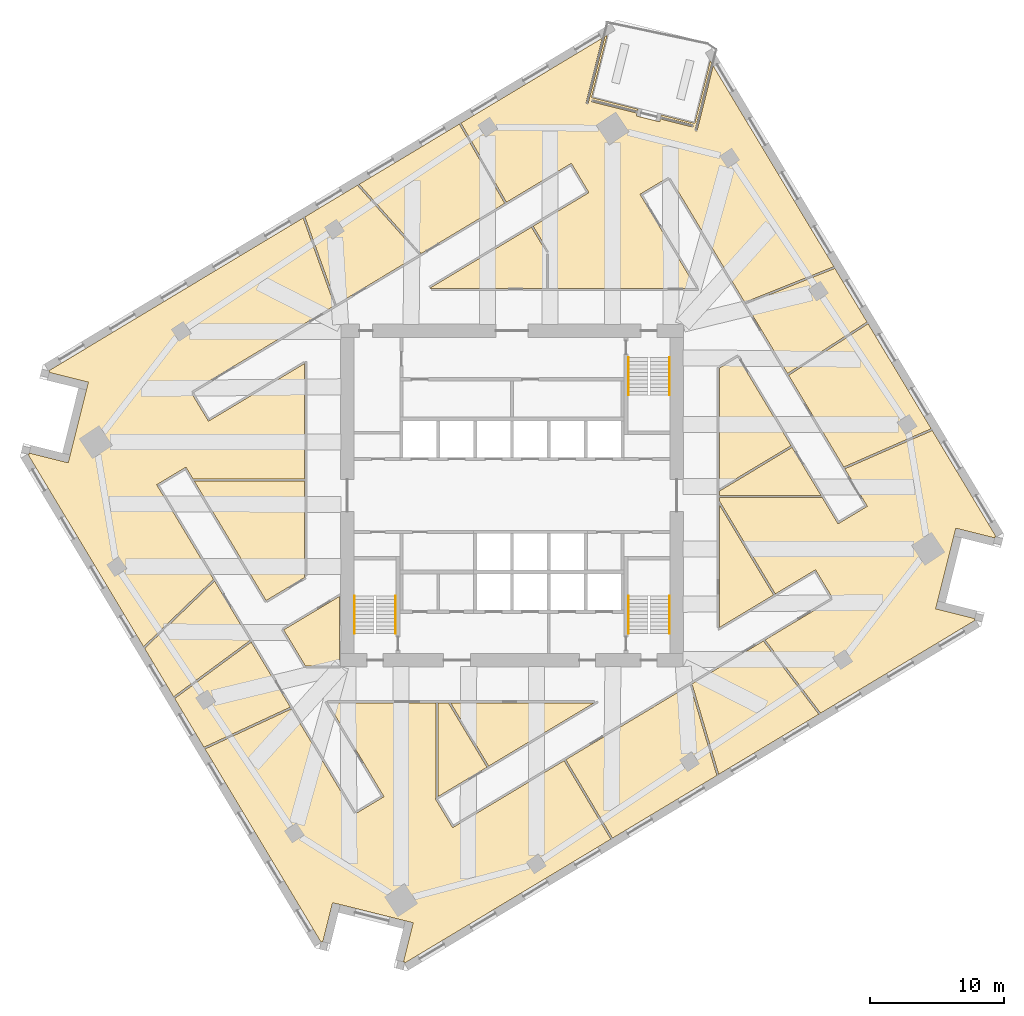
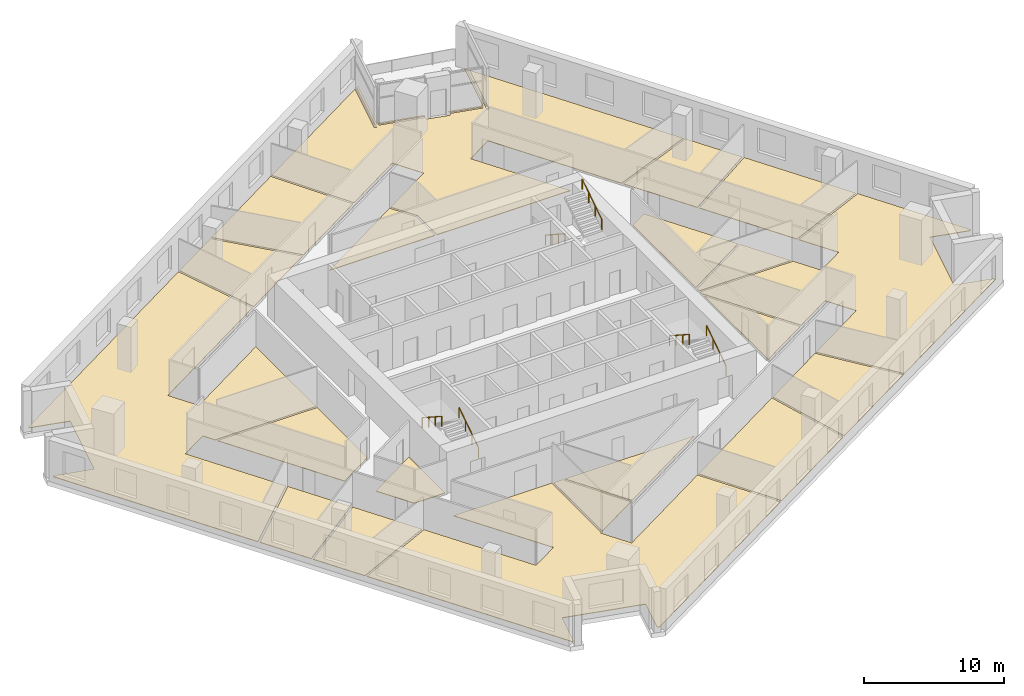
# One storey, part 12 of 14: 20 coverings, 6 railings.
"""IFC4 building model written with IfcOpenShell, lengths in metres."""

from ifc_helpers import new_model, si_unit, direction, frame, origin, origin_2d, place, context, subcontext, project, spatial, polyline, circle, outline, extrude, material, layer, layer_set, type_object, element, save


model = new_model("IFC4")

# Units and contexts
model_context = context("Model", 3, precision=1e-05, world=origin(), true_north=direction((0.0, 1.0)))
body_context = subcontext(model_context, "Body", "Model", "MODEL_VIEW")
ifc_project = project(units=[si_unit("LENGTHUNIT", "METRE"), si_unit("AREAUNIT", "SQUARE_METRE"), si_unit("VOLUMEUNIT", "CUBIC_METRE"), si_unit("PLANEANGLEUNIT", "RADIAN"), si_unit("MASSUNIT", "GRAM", prefix="KILO")], contexts=[model_context])

# Site, building, storey
site_placement = place(None, origin())
site = spatial("IfcSite", under=ifc_project, at=site_placement, CompositionType="ELEMENT")
building_placement = place(site_placement, origin())
building = spatial("IfcBuilding", under=site, at=building_placement, Name="Dilmun Exchange Tower", CompositionType="ELEMENT")
storey_placement = place(building_placement, frame((0.0, 0.0, 151.699951171875)))
storey = spatial("IfcBuildingStorey", under=building, at=storey_placement, Name="L35", CompositionType="ELEMENT", Elevation=151.699951171875)

# Coverings
ifc_material_1 = material(Name="Carpet floor finish 50")
ifc_layer_1 = layer(ifc_material_1, 0.050048828125)
ifc_layer_set_1 = layer_set([ifc_layer_1], Name="Carpet floor finish 50")
covering_type_1 = type_object("IfcCoveringType", Name="Carpet floor finish 50", PredefinedType="FLOORING", material=ifc_layer_set_1)
covering_1_placement = place(storey_placement, origin())
element("IfcCovering", 1, at=covering_1_placement, inside=storey, type_object=covering_type_1, Name="Carpet floor finish 50 Open office 1", PredefinedType="FLOORING", context=body_context, shape_type="SweptSolid", body=[
    extrude(outline(polyline([(-13.245361328125, 14.181884765625), (-23.979248046875, 7.732177734375), (-22.666015625, 5.54638671875), (-15.47509765625, 9.8671875), (-15.47509765625, 1.2392578125), (-23.818359375, 1.2392578125), (-24.343994140625, 2.114013671875), (-26.52978515625, 0.80078125), (-22.287109375, -6.260009765625), (-27.5126953125, -11.290283203125), (-36.1455078125, 3.076904296875), (-36.07666015625, 3.059814453125), (-36.076416015625, 3.059814453125), (-36.076416015625, 3.059814453125), (-36.076171875, 3.059814453125), (-36.075927734375, 3.059814453125), (-36.07568359375, 3.059814453125), (-36.075439453125, 3.059814453125), (-36.075439453125, 3.059814453125), (-36.0751953125, 3.06005859375), (-36.074951171875, 3.06005859375), (-36.074951171875, 3.060302734375), (-36.07470703125, 3.060302734375), (-36.07470703125, 3.060546875), (-36.074462890625, 3.060791015625), (-36.074462890625, 3.060791015625), (-36.07421875, 3.06103515625), (-36.07421875, 3.061279296875), (-36.0478515625, 3.167236328125), (-33.138916015625, 2.44189453125), (-33.138671875, 2.44189453125), (-33.138427734375, 2.44189453125), (-33.13818359375, 2.44189453125), (-33.13818359375, 2.44189453125), (-33.137939453125, 2.44189453125), (-33.1376953125, 2.44189453125), (-33.137451171875, 2.442138671875), (-33.13720703125, 2.442138671875), (-33.13720703125, 2.4423828125), (-33.136962890625, 2.4423828125), (-33.136962890625, 2.442626953125), (-33.13671875, 2.442626953125), (-33.13671875, 2.44287109375), (-33.13671875, 2.443115234375), (-33.136474609375, 2.443115234375), (-33.136474609375, 2.443359375), (-32.9912109375, 3.025634765625), (-32.9912109375, 3.025634765625), (-32.9912109375, 3.025634765625), (-31.78173828125, 7.876953125), (-31.781494140625, 7.877197265625), (-31.781494140625, 7.87744140625), (-31.781494140625, 7.877685546875), (-31.63671875, 8.459228515625), (-31.63671875, 8.45947265625), (-31.636474609375, 8.459716796875), (-31.636474609375, 8.4599609375), (-31.63671875, 8.460205078125), (-31.63671875, 8.460205078125), (-31.63671875, 8.46044921875), (-31.63671875, 8.460693359375), (-31.63671875, 8.460693359375), (-31.636962890625, 8.4609375), (-31.636962890625, 8.461181640625), (-31.63720703125, 8.461181640625), (-31.63720703125, 8.46142578125), (-31.637451171875, 8.46142578125), (-31.6376953125, 8.461669921875), (-31.637939453125, 8.461669921875), (-31.637939453125, 8.461669921875), (-34.546875, 9.18701171875), (-34.5205078125, 9.29296875), (-34.5205078125, 9.293212890625), (-34.5205078125, 9.29345703125), (-34.5205078125, 9.293701171875), (-34.5205078125, 9.293701171875), (-34.5205078125, 9.2939453125), (-34.5205078125, 9.294189453125), (-34.5205078125, 9.29443359375), (-34.520751953125, 9.29443359375), (-34.520751953125, 9.294677734375), (-34.52099609375, 9.294921875), (-34.52099609375, 9.294921875), (-34.521240234375, 9.295166015625), (-34.521484375, 9.295166015625), (-34.521484375, 9.29541015625), (-34.521728515625, 9.29541015625), (-34.52197265625, 9.29541015625), (-34.5908203125, 9.3125), (-15.595947265625, 20.725830078125), (-13.245361328125, 14.181884765625)])), origin(), (0.0, 0.0, 1.0), 0.050048828125),
])
covering_2_placement = place(storey_placement, origin())
element("IfcCovering", 2, at=covering_2_placement, inside=storey, type_object=covering_type_1, Name="Carpet floor finish 50 Open office 2", PredefinedType="FLOORING", context=body_context, shape_type="SweptSolid", body=[
    extrude(outline(polyline([(-4.430419921875, -24.802490234375), (3.889892578125, -19.802978515625), (7.38037109375, -25.662353515625), (-8.016845703125, -34.913818359375), (-7.999755859375, -34.844970703125), (-7.99951171875, -34.8447265625), (-7.99951171875, -34.844482421875), (-7.99951171875, -34.844482421875), (-7.99951171875, -34.84423828125), (-7.999755859375, -34.843994140625), (-7.999755859375, -34.84375), (-7.999755859375, -34.84375), (-8.0, -34.843505859375), (-8.0, -34.84326171875), (-8.0, -34.84326171875), (-8.000244140625, -34.843017578125), (-8.00048828125, -34.843017578125), (-8.00048828125, -34.8427734375), (-8.000732421875, -34.8427734375), (-8.0009765625, -34.842529296875), (-8.001220703125, -34.842529296875), (-8.107177734375, -34.816162109375), (-7.3818359375, -31.9072265625), (-7.3818359375, -31.906982421875), (-7.3818359375, -31.906982421875), (-7.3818359375, -31.90673828125), (-7.3818359375, -31.906494140625), (-7.3818359375, -31.90625), (-7.3818359375, -31.906005859375), (-7.382080078125, -31.906005859375), (-7.382080078125, -31.90576171875), (-7.382080078125, -31.905517578125), (-7.38232421875, -31.905517578125), (-7.382568359375, -31.9052734375), (-7.382568359375, -31.9052734375), (-7.3828125, -31.905029296875), (-7.383056640625, -31.905029296875), (-7.383056640625, -31.90478515625), (-7.38330078125, -31.90478515625), (-7.965576171875, -31.759765625), (-7.965576171875, -31.759765625), (-12.816650390625, -30.55029296875), (-12.81689453125, -30.550048828125), (-12.81689453125, -30.550048828125), (-13.399169921875, -30.40478515625), (-13.3994140625, -30.40478515625), (-13.399658203125, -30.40478515625), (-13.39990234375, -30.40478515625), (-13.39990234375, -30.40478515625), (-13.400146484375, -30.40478515625), (-13.400390625, -30.40478515625), (-13.400390625, -30.405029296875), (-13.400634765625, -30.405029296875), (-13.40087890625, -30.4052734375), (-13.40087890625, -30.4052734375), (-13.401123046875, -30.405517578125), (-13.4013671875, -30.405517578125), (-13.4013671875, -30.40576171875), (-13.401611328125, -30.406005859375), (-13.401611328125, -30.406005859375), (-13.401611328125, -30.40625), (-14.126953125, -33.315185546875), (-14.23291015625, -33.288818359375), (-14.233154296875, -33.288818359375), (-14.2333984375, -33.288818359375), (-14.2333984375, -33.288818359375), (-14.233642578125, -33.288818359375), (-14.23388671875, -33.288818359375), (-14.234130859375, -33.288818359375), (-14.234375, -33.2890625), (-14.234375, -33.2890625), (-14.234619140625, -33.289306640625), (-14.23486328125, -33.289306640625), (-14.23486328125, -33.28955078125), (-14.235107421875, -33.28955078125), (-14.235107421875, -33.289794921875), (-14.235107421875, -33.2900390625), (-14.2353515625, -33.2900390625), (-14.2353515625, -33.290283203125), (-14.25244140625, -33.359130859375), (-22.92333984375, -18.92822265625), (-16.4755859375, -15.93212890625), (-11.748046875, -23.80029296875), (-9.562255859375, -22.48681640625), (-13.775390625, -15.47509765625), (-5.657958984375, -15.47509765625), (-5.657958984375, -22.565185546875), (-5.743896484375, -22.61669921875), (-4.430419921875, -24.802490234375)])), origin(), (0.0, 0.0, 1.0), 0.050048828125),
])
covering_3_placement = place(storey_placement, origin())
element("IfcCovering", 3, at=covering_3_placement, inside=storey, type_object=covering_type_1, Name="Carpet floor finish 50 Executive office 1", PredefinedType="FLOORING", context=body_context, shape_type="SweptSolid", body=[
    extrude(outline(polyline([(-0.543212890625, 21.81396484375), (-6.7900390625, 18.060546875), (-11.4111328125, 23.240234375), (-3.93310546875, 27.733642578125), (-0.543212890625, 21.81396484375)])), origin(), (0.0, 0.0, 1.0), 0.050048828125),
])
covering_4_placement = place(storey_placement, origin())
element("IfcCovering", 4, at=covering_4_placement, inside=storey, type_object=covering_type_1, Name="Carpet floor finish 50 Business lounge 1", PredefinedType="FLOORING", context=body_context, shape_type="SweptSolid", body=[
    extrude(outline(polyline([(2.581787109375, 18.15576171875), (2.581787109375, 15.47509765625), (-6.11376953125, 15.47509765625), (-6.121337890625, 15.4873046875), (1.451416015625, 20.03759765625), (2.581787109375, 18.15576171875)])), origin(), (0.0, 0.0, 1.0), 0.050048828125),
])
covering_5_placement = place(storey_placement, origin())
element("IfcCovering", 5, at=covering_5_placement, inside=storey, type_object=covering_type_1, Name="Carpet floor finish 50 Garden lounge", PredefinedType="FLOORING", context=body_context, shape_type="SweptSolid", body=[
    extrude(outline(polyline([(2.73193359375, 15.47509765625), (2.73193359375, 18.197509765625), (1.579833984375, 20.11474609375), (5.743896484375, 22.61669921875), (4.430419921875, 24.802490234375), (-0.41455078125, 21.891357421875), (-3.804443359375, 27.810791015625), (6.734619140625, 34.143310546875), (5.521728515625, 29.279052734375), (5.521728515625, 29.27880859375), (5.521728515625, 29.27880859375), (5.521728515625, 29.278564453125), (5.521728515625, 29.2783203125), (5.521728515625, 29.2783203125), (5.52197265625, 29.278076171875), (5.52197265625, 29.27783203125), (5.522216796875, 29.277587890625), (5.522216796875, 29.277587890625), (5.522216796875, 29.27734375), (5.5224609375, 29.277099609375), (5.522705078125, 29.277099609375), (5.522705078125, 29.27685546875), (5.52294921875, 29.27685546875), (5.523193359375, 29.27685546875), (5.523193359375, 29.276611328125), (5.678466796875, 29.238037109375), (5.6787109375, 29.238037109375), (5.678955078125, 29.23779296875), (5.67919921875, 29.23779296875), (5.67919921875, 29.238037109375), (5.679443359375, 29.238037109375), (5.6796875, 29.238037109375), (5.679931640625, 29.238037109375), (5.68017578125, 29.23828125), (5.68017578125, 29.23828125), (5.680419921875, 29.238525390625), (5.680419921875, 29.238525390625), (5.6806640625, 29.23876953125), (5.6806640625, 29.239013671875), (5.680908203125, 29.239013671875), (5.680908203125, 29.2392578125), (5.680908203125, 29.239501953125), (6.933349609375, 34.2626953125), (7.106689453125, 34.366943359375), (5.94677734375, 29.71435546875), (9.403076171875, 28.8525390625), (9.368408203125, 28.7138671875), (5.98486328125, 29.557373046875), (5.984619140625, 29.557373046875), (5.984375, 29.557373046875), (5.984375, 29.557373046875), (5.984130859375, 29.557373046875), (5.98388671875, 29.557373046875), (5.983642578125, 29.557373046875), (5.9833984375, 29.55712890625), (5.9833984375, 29.55712890625), (5.983154296875, 29.556884765625), (5.98291015625, 29.556884765625), (5.98291015625, 29.556884765625), (5.982666015625, 29.556640625), (5.982666015625, 29.556396484375), (5.982421875, 29.556396484375), (5.982421875, 29.55615234375), (5.982421875, 29.555908203125), (5.943603515625, 29.400634765625), (5.943603515625, 29.400390625), (5.943603515625, 29.400390625), (5.943603515625, 29.400146484375), (5.943603515625, 29.39990234375), (5.943603515625, 29.399658203125), (5.94384765625, 29.3994140625), (5.94384765625, 29.3994140625), (5.94384765625, 29.399169921875), (5.944091796875, 29.39892578125), (5.944091796875, 29.398681640625), (5.9443359375, 29.398681640625), (5.944580078125, 29.398681640625), (5.944580078125, 29.3984375), (5.94482421875, 29.3984375), (5.945068359375, 29.398193359375), (5.9453125, 29.398193359375), (9.32861328125, 28.5546875), (9.27587890625, 28.34326171875), (9.27587890625, 28.343017578125), (9.27587890625, 28.3427734375), (9.27587890625, 28.342529296875), (9.27587890625, 28.34228515625), (9.27587890625, 28.34228515625), (9.27587890625, 28.342041015625), (9.276123046875, 28.341796875), (9.276123046875, 28.341796875), (9.2763671875, 28.341552734375), (9.2763671875, 28.34130859375), (9.276611328125, 28.34130859375), (9.276611328125, 28.341064453125), (9.27685546875, 28.341064453125), (9.277099609375, 28.3408203125), (9.277099609375, 28.3408203125), (9.27734375, 28.3408203125), (11.02392578125, 27.9052734375), (11.024169921875, 27.9052734375), (11.0244140625, 27.9052734375), (11.0244140625, 27.9052734375), (11.024658203125, 27.9052734375), (11.02490234375, 27.9052734375), (11.025146484375, 27.9052734375), (11.025390625, 27.905517578125), (11.025390625, 27.905517578125), (11.025634765625, 27.905517578125), (11.02587890625, 27.90576171875), (11.02587890625, 27.906005859375), (11.02587890625, 27.906005859375), (11.026123046875, 27.90625), (11.026123046875, 27.906494140625), (11.0263671875, 27.906494140625), (11.0263671875, 27.90673828125), (11.0791015625, 28.118408203125), (13.4921875, 27.5166015625), (13.492431640625, 27.5166015625), (13.49267578125, 27.5166015625), (13.492919921875, 27.5166015625), (13.492919921875, 27.5166015625), (13.4931640625, 27.5166015625), (13.493408203125, 27.5166015625), (13.49365234375, 27.5166015625), (13.493896484375, 27.516845703125), (13.493896484375, 27.516845703125), (13.494140625, 27.51708984375), (13.494140625, 27.51708984375), (13.494384765625, 27.517333984375), (13.494384765625, 27.517578125), (13.49462890625, 27.517578125), (13.49462890625, 27.517822265625), (13.49462890625, 27.51806640625), (13.533447265625, 27.673095703125), (13.533447265625, 27.67333984375), (13.533447265625, 27.673583984375), (13.533447265625, 27.673828125), (13.533447265625, 27.674072265625), (13.533447265625, 27.67431640625), (13.533203125, 27.67431640625), (13.533203125, 27.674560546875), (13.533203125, 27.6748046875), (13.533203125, 27.6748046875), (13.532958984375, 27.675048828125), (13.53271484375, 27.67529296875), (13.53271484375, 27.67529296875), (13.532470703125, 27.67529296875), (13.5322265625, 27.675537109375), (13.531982421875, 27.675537109375), (13.531982421875, 27.67578125), (11.118896484375, 28.27734375), (11.1533203125, 28.416015625), (13.639404296875, 27.79638671875), (14.79931640625, 32.448974609375), (14.903564453125, 32.275634765625), (13.651123046875, 27.252197265625), (13.651123046875, 27.252197265625), (13.651123046875, 27.251953125), (13.651123046875, 27.251708984375), (13.651123046875, 27.251708984375), (13.651123046875, 27.25146484375), (13.651123046875, 27.251220703125), (13.6513671875, 27.2509765625), (13.6513671875, 27.250732421875), (13.651611328125, 27.250732421875), (13.651611328125, 27.25048828125), (13.651611328125, 27.25048828125), (13.65185546875, 27.250244140625), (13.652099609375, 27.25), (13.652099609375, 27.25), (13.65234375, 27.25), (13.652587890625, 27.25), (13.807861328125, 27.211181640625), (13.80810546875, 27.211181640625), (13.80810546875, 27.211181640625), (13.808349609375, 27.211181640625), (13.80859375, 27.211181640625), (13.808837890625, 27.211181640625), (13.80908203125, 27.211181640625), (13.80908203125, 27.211181640625), (13.809326171875, 27.21142578125), (13.8095703125, 27.21142578125), (13.809814453125, 27.211669921875), (13.809814453125, 27.2119140625), (13.809814453125, 27.2119140625), (13.81005859375, 27.212158203125), (13.81005859375, 27.21240234375), (13.810302734375, 27.21240234375), (13.810302734375, 27.212646484375), (15.02294921875, 32.076904296875), (24.029052734375, 17.088134765625), (17.380126953125, 14.4267578125), (11.748046875, 23.80029296875), (9.562255859375, 22.48681640625), (13.775390625, 15.47509765625), (2.73193359375, 15.47509765625)])), origin(), (0.0, 0.0, 1.0), 0.050048828125),
])
covering_6_placement = place(storey_placement, origin())
element("IfcCovering", 6, at=covering_6_placement, inside=storey, type_object=covering_type_1, Name="Carpet floor finish 50 Business lounge 2", PredefinedType="FLOORING", context=body_context, shape_type="SweptSolid", body=[
    extrude(outline(polyline([(4.0185546875, -19.725830078125), (13.306640625, -14.14501953125), (15.30029296875, -20.903564453125), (7.5087890625, -25.5849609375), (4.0185546875, -19.725830078125)])), origin(), (0.0, 0.0, 1.0), 0.050048828125),
])
covering_7_placement = place(storey_placement, origin())
element("IfcCovering", 7, at=covering_7_placement, inside=storey, type_object=covering_type_1, Name="Carpet floor finish 50 Executive office 2", PredefinedType="FLOORING", context=body_context, shape_type="SweptSolid", body=[
    extrude(outline(polyline([(13.439453125, -14.065185546875), (18.770263671875, -10.862060546875), (22.90869140625, -16.331787109375), (15.43310546875, -20.82373046875), (13.439453125, -14.065185546875)])), origin(), (0.0, 0.0, 1.0), 0.050048828125),
])
covering_8_placement = place(storey_placement, origin())
element("IfcCovering", 8, at=covering_8_placement, inside=storey, type_object=covering_type_1, Name="Carpet floor finish 50 Library", PredefinedType="FLOORING", context=body_context, shape_type="SweptSolid", body=[
    extrude(outline(polyline([(24.77294921875, 2.123291015625), (20.6552734375, 8.97607421875), (26.58740234375, 12.830322265625), (31.301513671875, 4.985107421875), (24.77294921875, 2.123291015625)])), origin(), (0.0, 0.0, 1.0), 0.050048828125),
])
covering_9_placement = place(storey_placement, origin())
element("IfcCovering", 9, at=covering_9_placement, inside=storey, type_object=covering_type_1, Name="Carpet floor finish 50 Business lounge 3", PredefinedType="FLOORING", context=body_context, shape_type="SweptSolid", body=[
    extrude(outline(polyline([(24.343994140625, -2.114013671875), (26.52978515625, -0.80078125), (24.850830078125, 1.993408203125), (31.37939453125, 4.85546875), (36.1455078125, -3.076904296875), (36.07666015625, -3.059814453125), (36.076416015625, -3.059814453125), (36.076416015625, -3.059814453125), (36.076171875, -3.059814453125), (36.075927734375, -3.059814453125), (36.07568359375, -3.059814453125), (36.075439453125, -3.059814453125), (36.075439453125, -3.059814453125), (36.0751953125, -3.06005859375), (36.074951171875, -3.06005859375), (36.074951171875, -3.060302734375), (36.07470703125, -3.060302734375), (36.07470703125, -3.060546875), (36.074462890625, -3.060791015625), (36.074462890625, -3.060791015625), (36.07421875, -3.06103515625), (36.07421875, -3.061279296875), (36.0478515625, -3.167236328125), (33.138916015625, -2.44189453125), (33.138671875, -2.44189453125), (33.138427734375, -2.44189453125), (33.13818359375, -2.44189453125), (33.13818359375, -2.44189453125), (33.137939453125, -2.44189453125), (33.1376953125, -2.44189453125), (33.137451171875, -2.442138671875), (33.13720703125, -2.442138671875), (33.13720703125, -2.4423828125), (33.136962890625, -2.4423828125), (33.136962890625, -2.442626953125), (33.13671875, -2.442626953125), (33.13671875, -2.44287109375), (33.13671875, -2.443115234375), (33.136474609375, -2.443115234375), (33.136474609375, -2.443359375), (32.9912109375, -3.025634765625), (32.9912109375, -3.025634765625), (32.9912109375, -3.025634765625), (31.78173828125, -7.876953125), (31.781494140625, -7.877197265625), (31.781494140625, -7.87744140625), (31.781494140625, -7.877685546875), (31.63671875, -8.459228515625), (31.63671875, -8.45947265625), (31.636474609375, -8.459716796875), (31.636474609375, -8.4599609375), (31.63671875, -8.460205078125), (31.63671875, -8.460205078125), (31.63671875, -8.46044921875), (31.63671875, -8.460693359375), (31.63671875, -8.460693359375), (31.636962890625, -8.4609375), (31.636962890625, -8.461181640625), (31.63720703125, -8.461181640625), (31.63720703125, -8.46142578125), (31.637451171875, -8.46142578125), (31.6376953125, -8.461669921875), (31.637939453125, -8.461669921875), (31.637939453125, -8.461669921875), (34.546875, -9.18701171875), (34.5205078125, -9.29296875), (34.5205078125, -9.293212890625), (34.5205078125, -9.29345703125), (34.5205078125, -9.293701171875), (34.5205078125, -9.293701171875), (34.5205078125, -9.2939453125), (34.5205078125, -9.294189453125), (34.5205078125, -9.29443359375), (34.520751953125, -9.29443359375), (34.520751953125, -9.294677734375), (34.52099609375, -9.294921875), (34.52099609375, -9.294921875), (34.521240234375, -9.295166015625), (34.521484375, -9.295166015625), (34.521484375, -9.29541015625), (34.521728515625, -9.29541015625), (34.52197265625, -9.29541015625), (34.5908203125, -9.3125), (23.0380859375, -16.254150390625), (18.899658203125, -10.7841796875), (23.979248046875, -7.732177734375), (22.666015625, -5.54638671875), (19.66162109375, -7.3515625), (15.47509765625, -0.3837890625), (15.47509765625, -0.13134765625), (23.152587890625, -0.13134765625), (24.343994140625, -2.114013671875)])), origin(), (0.0, 0.0, 1.0), 0.050048828125),
])

# Railings
ifc_material_2 = material(Name="Stainless steel", Category="steel")
railing_type = type_object("IfcRailingType", Name="Stair handrail 900", PredefinedType="HANDRAIL", material=ifc_material_2)
railing_1_placement = place(storey_placement, frame((8.699951171875, 10.300048828125, 0.181884765625)))
element("IfcRailing", 10, at=railing_1_placement, inside=storey, type_object=railing_type, Name="L35 ST1 stair handrail 1", PredefinedType="HANDRAIL", context=body_context, shape_type="SweptSolid", body=[
    extrude(circle(Radius=0.02392578125, at=origin_2d()), frame((0.0, 0.0, 0.8759765625), z_axis=(0.0, -0.838705829183, 0.544584733623), x_axis=(1.0, 0.0, 0.0)), (0.0, 0.0, 1.0), 3.338623046875),
    extrude(circle(Radius=0.02099609375, at=origin_2d()), origin(), (0.0, 0.0, 1.0), 0.851806640625),
    extrude(circle(Radius=0.02099609375, at=origin_2d()), frame((0.0, -0.933349609375, 0.60595703125)), (0.0, 0.0, 1.0), 0.851806640625),
    extrude(circle(Radius=0.02099609375, at=origin_2d()), frame((0.0, -1.86669921875, 1.212158203125)), (0.0, 0.0, 1.0), 0.851806640625),
    extrude(circle(Radius=0.02099609375, at=origin_2d()), frame((0.0, -2.800048828125, 1.818115234375)), (0.0, 0.0, 1.0), 0.851806640625),
])
for number, where, name in (
    (11, (11.75, 7.5, 2.181884765625), "L35 ST1 stair handrail 2"),
    (12, (-8.699951171875, -10.300048828125, 0.181884765625), "L35 ST2 stair handrail 1"),
):
    element("IfcRailing", number, at=place(storey_placement, frame(where)), inside=storey, type_object=railing_type, Name=name, PredefinedType="HANDRAIL", context=body_context, shape_type="SweptSolid", body=[
        extrude(circle(Radius=0.02392578125, at=origin_2d()), frame((0.0, 0.0, 0.8759765625), z_axis=(0.0, 0.838705829183, 0.544584733623), x_axis=(-1.0, 0.0, 0.0)), (0.0, 0.0, 1.0), 3.338623046875),
        extrude(circle(Radius=0.02099609375, at=origin_2d()), origin(), (0.0, 0.0, 1.0), 0.851806640625),
        extrude(circle(Radius=0.02099609375, at=origin_2d()), frame((0.0, 0.933349609375, 0.60595703125)), (0.0, 0.0, 1.0), 0.851806640625),
        extrude(circle(Radius=0.02099609375, at=origin_2d()), frame((0.0, 1.86669921875, 1.212158203125)), (0.0, 0.0, 1.0), 0.851806640625),
        extrude(circle(Radius=0.02099609375, at=origin_2d()), frame((0.0, 2.800048828125, 1.818115234375)), (0.0, 0.0, 1.0), 0.851806640625),
    ])
railing_2_placement = place(storey_placement, frame((-11.75, -7.5, 2.181884765625)))
element("IfcRailing", 13, at=railing_2_placement, inside=storey, type_object=railing_type, Name="L35 ST2 stair handrail 2", PredefinedType="HANDRAIL", context=body_context, shape_type="SweptSolid", body=[
    extrude(circle(Radius=0.02392578125, at=origin_2d()), frame((0.0, 0.0, 0.8759765625), z_axis=(0.0, -0.838705829183, 0.544584733623), x_axis=(1.0, 0.0, 0.0)), (0.0, 0.0, 1.0), 3.338623046875),
    extrude(circle(Radius=0.02099609375, at=origin_2d()), origin(), (0.0, 0.0, 1.0), 0.851806640625),
    extrude(circle(Radius=0.02099609375, at=origin_2d()), frame((0.0, -0.933349609375, 0.60595703125)), (0.0, 0.0, 1.0), 0.851806640625),
    extrude(circle(Radius=0.02099609375, at=origin_2d()), frame((0.0, -1.86669921875, 1.212158203125)), (0.0, 0.0, 1.0), 0.851806640625),
    extrude(circle(Radius=0.02099609375, at=origin_2d()), frame((0.0, -2.800048828125, 1.818115234375)), (0.0, 0.0, 1.0), 0.851806640625),
])
railing_3_placement = place(storey_placement, frame((11.75, -10.300048828125, 0.181884765625)))
element("IfcRailing", 14, at=railing_3_placement, inside=storey, type_object=railing_type, Name="L35 ST3 stair handrail 1", PredefinedType="HANDRAIL", context=body_context, shape_type="SweptSolid", body=[
    extrude(circle(Radius=0.02392578125, at=origin_2d()), frame((0.0, 0.0, 0.8759765625), z_axis=(0.0, 0.838705829183, 0.544584733623), x_axis=(-1.0, 0.0, 0.0)), (0.0, 0.0, 1.0), 3.338623046875),
    extrude(circle(Radius=0.02099609375, at=origin_2d()), origin(), (0.0, 0.0, 1.0), 0.851806640625),
    extrude(circle(Radius=0.02099609375, at=origin_2d()), frame((0.0, 0.933349609375, 0.60595703125)), (0.0, 0.0, 1.0), 0.851806640625),
    extrude(circle(Radius=0.02099609375, at=origin_2d()), frame((0.0, 1.86669921875, 1.212158203125)), (0.0, 0.0, 1.0), 0.851806640625),
    extrude(circle(Radius=0.02099609375, at=origin_2d()), frame((0.0, 2.800048828125, 1.818115234375)), (0.0, 0.0, 1.0), 0.851806640625),
])
railing_4_placement = place(storey_placement, frame((8.699951171875, -7.5, 2.181884765625)))
element("IfcRailing", 15, at=railing_4_placement, inside=storey, type_object=railing_type, Name="L35 ST3 stair handrail 2", PredefinedType="HANDRAIL", context=body_context, shape_type="SweptSolid", body=[
    extrude(circle(Radius=0.02392578125, at=origin_2d()), frame((0.0, 0.0, 0.8759765625), z_axis=(0.0, -0.838705829183, 0.544584733623), x_axis=(1.0, 0.0, 0.0)), (0.0, 0.0, 1.0), 3.338623046875),
    extrude(circle(Radius=0.02099609375, at=origin_2d()), origin(), (0.0, 0.0, 1.0), 0.851806640625),
    extrude(circle(Radius=0.02099609375, at=origin_2d()), frame((0.0, -0.933349609375, 0.60595703125)), (0.0, 0.0, 1.0), 0.851806640625),
    extrude(circle(Radius=0.02099609375, at=origin_2d()), frame((0.0, -1.86669921875, 1.212158203125)), (0.0, 0.0, 1.0), 0.851806640625),
    extrude(circle(Radius=0.02099609375, at=origin_2d()), frame((0.0, -2.800048828125, 1.818115234375)), (0.0, 0.0, 1.0), 0.851806640625),
])

# Coverings
ifc_material_3 = material(Name="Stone floor finish 50", Category="masonry")
ifc_layer_2 = layer(ifc_material_3, 0.050048828125)
ifc_layer_set_2 = layer_set([ifc_layer_2], Name="Stone floor finish 50")
covering_type_2 = type_object("IfcCoveringType", Name="Stone floor finish 50", PredefinedType="FLOORING", material=ifc_layer_set_2)
covering_10_placement = place(storey_placement, origin())
element("IfcCovering", 16, at=covering_10_placement, inside=storey, type_object=covering_type_2, Name="Stone floor finish 50 Reception 1", PredefinedType="FLOORING", context=body_context, shape_type="SweptSolid", body=[
    extrude(outline(polyline([(-22.2080078125, -6.39208984375), (-19.5498046875, -10.81591796875), (-25.2666015625, -15.02880859375), (-27.43359375, -11.42236328125), (-22.2080078125, -6.39208984375)])), origin(), (0.0, 0.0, 1.0), 0.050048828125),
])
covering_11_placement = place(storey_placement, origin())
element("IfcCovering", 17, at=covering_11_placement, inside=storey, type_object=covering_type_2, Name="Stone floor finish 50 Reception 2", PredefinedType="FLOORING", context=body_context, shape_type="SweptSolid", body=[
    extrude(outline(polyline([(-23.728271484375, 1.089111328125), (-15.47509765625, 1.089111328125), (-15.47509765625, -6.11376953125), (-18.35888671875, -7.8466796875), (-23.728271484375, 1.089111328125)])), origin(), (0.0, 0.0, 1.0), 0.050048828125),
])
covering_12_placement = place(storey_placement, origin())
element("IfcCovering", 18, at=covering_12_placement, inside=storey, type_object=covering_type_2, Name="Stone floor finish 50 Reception 3", PredefinedType="FLOORING", context=body_context, shape_type="SweptSolid", body=[
    extrude(outline(polyline([(-12.875, -7.526611328125), (-12.875, -12.72509765625), (-15.427734375, -12.72509765625), (-17.045654296875, -10.032470703125), (-12.875, -7.526611328125)])), origin(), (0.0, 0.0, 1.0), 0.050048828125),
])
covering_13_placement = place(storey_placement, origin())
element("IfcCovering", 19, at=covering_13_placement, inside=storey, type_object=covering_type_2, Name="Stone floor finish 50 Reception 4", PredefinedType="FLOORING", context=body_context, shape_type="SweptSolid", body=[
    extrude(outline(polyline([(-1.8662109375, -20.286865234375), (-5.508056640625, -22.47509765625), (-5.508056640625, -15.47509765625), (-4.757568359375, -15.47509765625), (-1.8662109375, -20.286865234375)])), origin(), (0.0, 0.0, 1.0), 0.050048828125),
])
covering_14_placement = place(storey_placement, origin())
element("IfcCovering", 20, at=covering_14_placement, inside=storey, type_object=covering_type_2, Name="Stone floor finish 50 Reception 5", PredefinedType="FLOORING", context=body_context, shape_type="SweptSolid", body=[
    extrude(outline(polyline([(15.47509765625, -0.675048828125), (19.533203125, -7.4287109375), (15.47509765625, -9.8671875), (15.47509765625, -0.675048828125)])), origin(), (0.0, 0.0, 1.0), 0.050048828125),
])
covering_15_placement = place(storey_placement, origin())
element("IfcCovering", 21, at=covering_15_placement, inside=storey, type_object=covering_type_2, Name="Stone floor finish 50 Reception 6", PredefinedType="FLOORING", context=body_context, shape_type="SweptSolid", body=[
    extrude(outline(polyline([(15.47509765625, 9.5078125), (16.860595703125, 10.34033203125), (20.83837890625, 3.72021484375), (15.47509765625, 0.49755859375), (15.47509765625, 9.5078125)])), origin(), (0.0, 0.0, 1.0), 0.050048828125),
])
covering_16_placement = place(storey_placement, origin())
element("IfcCovering", 22, at=covering_16_placement, inside=storey, type_object=covering_type_2, Name="Stone floor finish 50 Reception 7", PredefinedType="FLOORING", context=body_context, shape_type="SweptSolid", body=[
    extrude(outline(polyline([(23.0625, 0.018798828125), (15.47509765625, 0.018798828125), (15.47509765625, 0.322509765625), (20.91552734375, 3.591796875), (23.0625, 0.018798828125)])), origin(), (0.0, 0.0, 1.0), 0.050048828125),
])
covering_17_placement = place(storey_placement, origin())
element("IfcCovering", 23, at=covering_17_placement, inside=storey, type_object=covering_type_2, Name="Stone floor finish 50 Reception 8", PredefinedType="FLOORING", context=body_context, shape_type="SweptSolid", body=[
    extrude(outline(polyline([(20.577880859375, 9.104736328125), (17.45849609375, 14.29638671875), (24.107421875, 16.9580078125), (26.51025390625, 12.958984375), (20.577880859375, 9.104736328125)])), origin(), (0.0, 0.0, 1.0), 0.050048828125),
])
ifc_material_4 = material(Name="Tile floor finish 50")
ifc_layer_3 = layer(ifc_material_4, 0.050048828125)
ifc_layer_set_3 = layer_set([ifc_layer_3], Name="Tile floor finish 50")
covering_type_3 = type_object("IfcCoveringType", Name="Tile floor finish 50", PredefinedType="FLOORING", material=ifc_layer_set_3)
covering_18_placement = place(storey_placement, origin())
element("IfcCovering", 24, at=covering_18_placement, inside=storey, type_object=covering_type_3, Name="Tile floor finish 50 Pantry 1", PredefinedType="FLOORING", context=body_context, shape_type="SweptSolid", body=[
    extrude(outline(polyline([(-19.47216796875, -10.9453125), (-16.553466796875, -15.802734375), (-23.001220703125, -18.799072265625), (-25.18896484375, -15.157958984375), (-19.47216796875, -10.9453125)])), origin(), (0.0, 0.0, 1.0), 0.050048828125),
])
covering_19_placement = place(storey_placement, origin())
element("IfcCovering", 25, at=covering_19_placement, inside=storey, type_object=covering_type_3, Name="Tile floor finish 50 Pantry 2", PredefinedType="FLOORING", context=body_context, shape_type="SweptSolid", body=[
    extrude(outline(polyline([(-6.9208984375, 17.98193359375), (-13.1142578125, 14.260498046875), (-15.465087890625, 20.804443359375), (-11.5419921875, 23.16162109375), (-6.9208984375, 17.98193359375)])), origin(), (0.0, 0.0, 1.0), 0.050048828125),
])
covering_20_placement = place(storey_placement, origin())
element("IfcCovering", 26, at=covering_20_placement, inside=storey, type_object=covering_type_3, Name="Tile floor finish 50 Pantry 3", PredefinedType="FLOORING", context=body_context, shape_type="SweptSolid", body=[
    extrude(outline(polyline([(-1.73779296875, -20.209716796875), (-4.58251953125, -15.47509765625), (6.14208984375, -15.47509765625), (-1.73779296875, -20.209716796875)])), origin(), (0.0, 0.0, 1.0), 0.050048828125),
])

save(model, "model.ifc")
